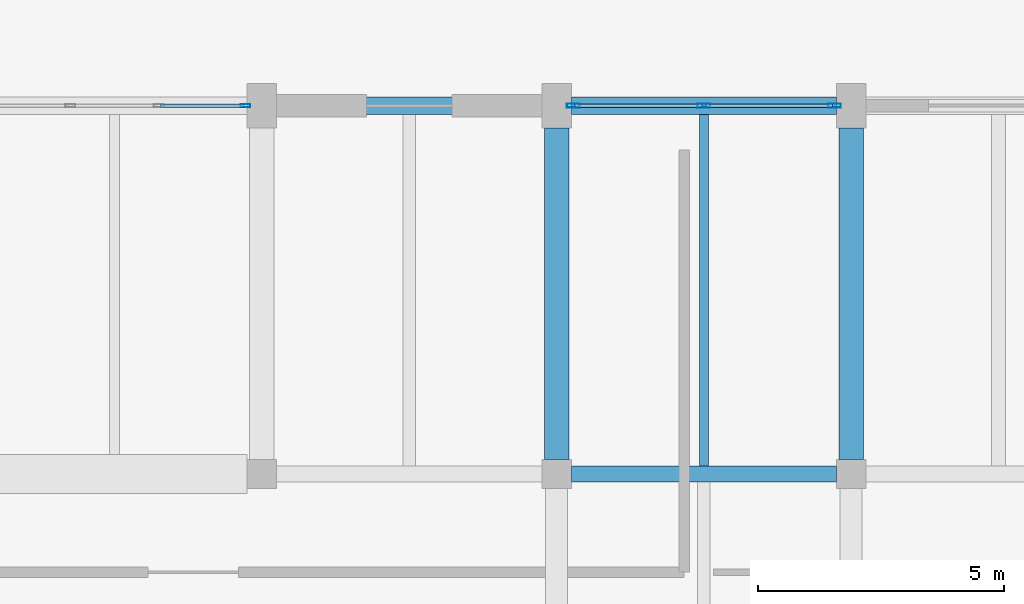
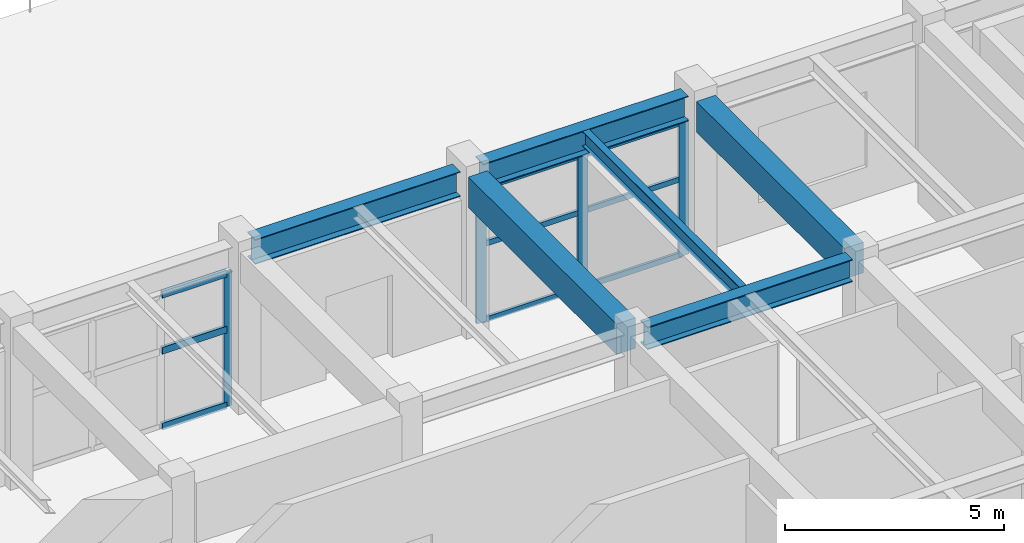
# One storey, part 37 of 80: 13 members, 6 beams, 2 elements without a shape of their own.
"""IFC4 building model written with IfcOpenShell, lengths in metres."""

from ifc_helpers import new_model, si_unit, direction, frame, origin, origin_2d, place, context, subcontext, project, spatial, rectangle, hollow_rectangle, i_section, extrude, material, layer, layer_set, material_profile, profile_set, type_object, element, aggregate, save


model = new_model("IFC4")

# Units and contexts
model_context = context("Model", 3, precision=1e-05, world=origin(), true_north=direction((0.0, 1.0)))
body_context = subcontext(model_context, "Body", "Model", "MODEL_VIEW")
ifc_project = project(units=[si_unit("LENGTHUNIT", "METRE"), si_unit("AREAUNIT", "SQUARE_METRE"), si_unit("VOLUMEUNIT", "CUBIC_METRE"), si_unit("PLANEANGLEUNIT", "RADIAN"), si_unit("MASSUNIT", "GRAM", prefix="KILO")], contexts=[model_context])

# Site, building, storey
site_placement = place(None, origin())
site = spatial("IfcSite", under=ifc_project, at=site_placement, CompositionType="ELEMENT")
building_placement = place(site_placement, origin())
building = spatial("IfcBuilding", under=site, at=building_placement, Name="Vaelkrest Opera House", CompositionType="ELEMENT")
storey_placement = place(building_placement, frame((0.0, 0.0, 15.0)))
storey = spatial("IfcBuildingStorey", under=building, at=storey_placement, Name="L03", CompositionType="ELEMENT", Elevation=15.0)

# Beams
ifc_material_1 = material(Name="Concrete C50/60", Category="concrete")
ifc_material_profile_1 = material_profile(ifc_material_1, rectangle(XDim=0.5, YDim=0.85009765625, at=origin_2d()), Name="RCB500X850")
ifc_profile_set_1 = profile_set([ifc_material_profile_1], Name="Concrete C50/60")
beam_type_1 = type_object("IfcBeamType", Name="B03", PredefinedType="BEAM", material=ifc_profile_set_1)
for number, where, z_axis, x_axis, name in (
    (1, (-51.60009765625, 10.5, 4.080078125), (0.0, 1.0, 0.0), (-1.0, 0.0, 0.0), "Beam BM-V3-L03-1776"),
    (2, (-45.60009765625, 10.5, 4.080078125), (0.0, 1.0, 0.0), (-1.0, 0.0, 0.0), "Beam BM-V3-L03-1780"),
):
    element("IfcBeam", number, at=place(storey_placement, frame(where, z_axis=z_axis, x_axis=x_axis)), inside=storey, type_object=beam_type_1, Name=name, PredefinedType="BEAM", context=body_context, shape_type="SweptSolid", body=[
        extrude(rectangle(XDim=0.5, YDim=0.85009765625, at=origin_2d()), origin(), (0.0, 0.0, 1.0), 6.75),
    ])
ifc_material_2 = material(Name="Steel A992 Gr50", Category="steel")
ifc_material_profile_2 = material_profile(ifc_material_2, i_section(OverallWidth=0.327880859375, OverallDepth=0.6279296875, WebThickness=0.0166015625, FlangeThickness=0.027587890625, at=origin_2d()), Name="W24X146")
ifc_profile_set_2 = profile_set([ifc_material_profile_2], Name="Steel A992 Gr50")
beam_type_2 = type_object("IfcBeamType", Name="B09", PredefinedType="BEAM", material=ifc_profile_set_2)
beam_1_placement = place(storey_placement, frame((-51.300048828125, 10.199951171875, 4.19091796875), z_axis=(1.0, 0.0, 0.0), x_axis=(0.0, 1.0, 0.0)))
element("IfcBeam", 3, at=beam_1_placement, inside=storey, type_object=beam_type_2, Name="Beam BM-V3-L03-1754", PredefinedType="BEAM", context=body_context, shape_type="SweptSolid", body=[
    extrude(i_section(OverallWidth=0.327880859375, OverallDepth=0.6279296875, WebThickness=0.0166015625, FlangeThickness=0.027587890625, at=origin_2d()), origin(), (0.0, 0.0, 1.0), 5.400146484375),
])

# Curtain wall, member
ifc_material_3 = material(Name="Dark bronze anodized aluminium", Category="aluminium")
ifc_layer_1 = layer(ifc_material_3, 0.22998046875)
ifc_layer_set_1 = layer_set([ifc_layer_1], Name="Dark bronze anodized aluminium")
curtain_wall_type_1 = type_object("IfcCurtainWallType", Name="CW06", PredefinedType="NOTDEFINED", material=ifc_layer_set_1)
curtain_wall_1_placement = place(storey_placement, origin())
curtain_wall_1 = element("IfcCurtainWall", 4, at=curtain_wall_1_placement, inside=storey, type_object=curtain_wall_type_1, Name="Curtain wall CW-L03-132", PredefinedType="NOTDEFINED")
ifc_material_profile_3 = material_profile(ifc_material_3, hollow_rectangle(XDim=0.070068359375, YDim=0.199951171875, WallThickness=0.004150390625, at=origin_2d()), Name="CWM70X200")
ifc_profile_set_3 = profile_set([ifc_material_profile_3], Name="Dark bronze anodized aluminium")
member_type_1 = type_object("IfcMemberType", Name="CWM02", PredefinedType="MULLION", material=ifc_profile_set_3)
member_1_placement = place(storey_placement, frame((-57.93310546875, 17.699951171875, 0.0), z_axis=(0.0, 0.0, 1.0), x_axis=(0.0, 1.0, 0.0)))
member_1 = element("IfcMember", 5, at=member_1_placement, type_object=member_type_1, Name="CW06 mullion 4", PredefinedType="MULLION", context=body_context, shape_type="SweptSolid", body=[
    extrude(hollow_rectangle(XDim=0.070068359375, YDim=0.199951171875, WallThickness=0.004150390625, at=origin_2d()), origin(), (0.0, 0.0, 1.0), 3.7451171875),
])

# Curtain wall, members
ifc_layer_2 = layer(ifc_material_3, 0.25)
ifc_layer_set_2 = layer_set([ifc_layer_2], Name="Dark bronze anodized aluminium")
curtain_wall_type_2 = type_object("IfcCurtainWallType", Name="CW08", PredefinedType="NOTDEFINED", material=ifc_layer_set_2)
curtain_wall_2_placement = place(storey_placement, origin())
curtain_wall_2 = element("IfcCurtainWall", 6, at=curtain_wall_2_placement, inside=storey, type_object=curtain_wall_type_2, Name="Curtain wall CW-L03-133", PredefinedType="NOTDEFINED")
ifc_material_profile_4 = material_profile(ifc_material_3, hollow_rectangle(XDim=0.080078125, YDim=0.260009765625, WallThickness=0.0048828125, at=origin_2d()), Name="CWM80X260")
ifc_profile_set_4 = profile_set([ifc_material_profile_4], Name="Dark bronze anodized aluminium")
member_type_2 = type_object("IfcMemberType", Name="CWM04", PredefinedType="MULLION", material=ifc_profile_set_4)
member_2_placement = place(storey_placement, frame((-51.261962890625, 17.699951171875, 0.0), z_axis=(0.0, 0.0, 1.0), x_axis=(0.0, 1.0, 0.0)))
member_2 = element("IfcMember", 7, at=member_2_placement, type_object=member_type_2, Name="CW08 mullion 1", PredefinedType="MULLION", context=body_context, shape_type="SweptSolid", body=[
    extrude(hollow_rectangle(XDim=0.080078125, YDim=0.260009765625, WallThickness=0.0048828125, at=origin_2d()), origin(), (0.0, 0.0, 1.0), 3.7451171875),
])
member_3_placement = place(storey_placement, frame((-48.60009765625, 17.699951171875, 0.0), z_axis=(0.0, 0.0, 1.0), x_axis=(0.0, 1.0, 0.0)))
member_3 = element("IfcMember", 8, at=member_3_placement, type_object=member_type_2, Name="CW08 mullion 2", PredefinedType="MULLION", context=body_context, shape_type="SweptSolid", body=[
    extrude(hollow_rectangle(XDim=0.080078125, YDim=0.260009765625, WallThickness=0.0048828125, at=origin_2d()), origin(), (0.0, 0.0, 1.0), 3.7451171875),
])
member_4_placement = place(storey_placement, frame((-45.93798828125, 17.699951171875, 0.0), z_axis=(0.0, 0.0, 1.0), x_axis=(0.0, 1.0, 0.0)))
member_4 = element("IfcMember", 9, at=member_4_placement, type_object=member_type_2, Name="CW08 mullion 3", PredefinedType="MULLION", context=body_context, shape_type="SweptSolid", body=[
    extrude(hollow_rectangle(XDim=0.080078125, YDim=0.260009765625, WallThickness=0.0048828125, at=origin_2d()), origin(), (0.0, 0.0, 1.0), 3.7451171875),
])
ifc_material_profile_5 = material_profile(ifc_material_3, hollow_rectangle(XDim=0.070068359375, YDim=0.14990234375, WallThickness=0.004150390625, at=origin_2d()), Name="CWT70X150")
ifc_profile_set_5 = profile_set([ifc_material_profile_5], Name="Dark bronze anodized aluminium")
member_type_3 = type_object("IfcMemberType", Name="CWT02", PredefinedType="USERDEFINED", material=ifc_profile_set_5)
member_5_placement = place(storey_placement, frame((-51.221923828125, 17.699951171875, 0.034912109375), z_axis=(1.0, 0.0, 0.0), x_axis=(0.0, 1.0, 0.0)))
member_5 = element("IfcMember", 10, at=member_5_placement, type_object=member_type_3, Name="CW08 transom 1.1", ObjectType="TRANSOM", PredefinedType="USERDEFINED", context=body_context, shape_type="SweptSolid", body=[
    extrude(hollow_rectangle(XDim=0.070068359375, YDim=0.14990234375, WallThickness=0.004150390625, at=origin_2d()), origin(), (0.0, 0.0, 1.0), 2.58203125),
])
member_6_placement = place(storey_placement, frame((-51.221923828125, 17.699951171875, 2.14990234375), z_axis=(1.0, 0.0, 0.0), x_axis=(0.0, 1.0, 0.0)))
member_6 = element("IfcMember", 11, at=member_6_placement, type_object=member_type_3, Name="CW08 transom 1.2", ObjectType="TRANSOM", PredefinedType="USERDEFINED", context=body_context, shape_type="SweptSolid", body=[
    extrude(hollow_rectangle(XDim=0.070068359375, YDim=0.14990234375, WallThickness=0.004150390625, at=origin_2d()), origin(), (0.0, 0.0, 1.0), 2.58203125),
])
member_7_placement = place(storey_placement, frame((-51.221923828125, 17.699951171875, 3.7099609375), z_axis=(1.0, 0.0, 0.0), x_axis=(0.0, 1.0, 0.0)))
member_7 = element("IfcMember", 12, at=member_7_placement, type_object=member_type_3, Name="CW08 transom 1.3", ObjectType="TRANSOM", PredefinedType="USERDEFINED", context=body_context, shape_type="SweptSolid", body=[
    extrude(hollow_rectangle(XDim=0.070068359375, YDim=0.14990234375, WallThickness=0.004150390625, at=origin_2d()), origin(), (0.0, 0.0, 1.0), 2.58203125),
])
member_8_placement = place(storey_placement, frame((-48.56005859375, 17.699951171875, 0.034912109375), z_axis=(1.0, 0.0, 0.0), x_axis=(0.0, 1.0, 0.0)))
member_8 = element("IfcMember", 13, at=member_8_placement, type_object=member_type_3, Name="CW08 transom 2.1", ObjectType="TRANSOM", PredefinedType="USERDEFINED", context=body_context, shape_type="SweptSolid", body=[
    extrude(hollow_rectangle(XDim=0.070068359375, YDim=0.14990234375, WallThickness=0.004150390625, at=origin_2d()), origin(), (0.0, 0.0, 1.0), 2.58203125),
])
member_9_placement = place(storey_placement, frame((-48.56005859375, 17.699951171875, 2.14990234375), z_axis=(1.0, 0.0, 0.0), x_axis=(0.0, 1.0, 0.0)))
member_9 = element("IfcMember", 14, at=member_9_placement, type_object=member_type_3, Name="CW08 transom 2.2", ObjectType="TRANSOM", PredefinedType="USERDEFINED", context=body_context, shape_type="SweptSolid", body=[
    extrude(hollow_rectangle(XDim=0.070068359375, YDim=0.14990234375, WallThickness=0.004150390625, at=origin_2d()), origin(), (0.0, 0.0, 1.0), 2.58203125),
])
member_10_placement = place(storey_placement, frame((-48.56005859375, 17.699951171875, 3.7099609375), z_axis=(1.0, 0.0, 0.0), x_axis=(0.0, 1.0, 0.0)))
member_10 = element("IfcMember", 15, at=member_10_placement, type_object=member_type_3, Name="CW08 transom 2.3", ObjectType="TRANSOM", PredefinedType="USERDEFINED", context=body_context, shape_type="SweptSolid", body=[
    extrude(hollow_rectangle(XDim=0.070068359375, YDim=0.14990234375, WallThickness=0.004150390625, at=origin_2d()), origin(), (0.0, 0.0, 1.0), 2.58203125),
])
aggregate(curtain_wall_2, [member_2, member_3, member_4, member_5, member_6, member_7, member_8, member_9, member_10])

# Member
ifc_material_profile_6 = material_profile(ifc_material_3, hollow_rectangle(XDim=0.080078125, YDim=0.18994140625, WallThickness=0.0048828125, at=origin_2d()), Name="CWT80X190")
ifc_profile_set_6 = profile_set([ifc_material_profile_6], Name="Dark bronze anodized aluminium")
member_type_4 = type_object("IfcMemberType", Name="CWT04", PredefinedType="USERDEFINED", material=ifc_profile_set_6)
member_11_placement = place(storey_placement, frame((-59.664306640625, 17.699951171875, 0.0400390625), z_axis=(1.0, 0.0, 0.0), x_axis=(0.0, 1.0, 0.0)))
member_11 = element("IfcMember", 16, at=member_11_placement, type_object=member_type_4, Name="CW06 transom 3.1", ObjectType="TRANSOM", PredefinedType="USERDEFINED", context=body_context, shape_type="SweptSolid", body=[
    extrude(hollow_rectangle(XDim=0.080078125, YDim=0.18994140625, WallThickness=0.0048828125, at=origin_2d()), origin(), (0.0, 0.0, 1.0), 1.6962890625),
])

member_12_placement = place(storey_placement, frame((-59.664306640625, 17.699951171875, 2.14990234375), z_axis=(1.0, 0.0, 0.0), x_axis=(0.0, 1.0, 0.0)))
member_12 = element("IfcMember", 17, at=member_12_placement, type_object=member_type_4, Name="CW06 transom 3.2", ObjectType="TRANSOM", PredefinedType="USERDEFINED", context=body_context, shape_type="SweptSolid", body=[
    extrude(hollow_rectangle(XDim=0.080078125, YDim=0.18994140625, WallThickness=0.0048828125, at=origin_2d()), origin(), (0.0, 0.0, 1.0), 1.6962890625),
])

member_13_placement = place(storey_placement, frame((-59.664306640625, 17.699951171875, 3.705078125), z_axis=(1.0, 0.0, 0.0), x_axis=(0.0, 1.0, 0.0)))
member_13 = element("IfcMember", 18, at=member_13_placement, type_object=member_type_4, Name="CW06 transom 3.3", ObjectType="TRANSOM", PredefinedType="USERDEFINED", context=body_context, shape_type="SweptSolid", body=[
    extrude(hollow_rectangle(XDim=0.080078125, YDim=0.18994140625, WallThickness=0.0048828125, at=origin_2d()), origin(), (0.0, 0.0, 1.0), 1.6962890625),
])

aggregate(curtain_wall_1, [member_1, member_11, member_12, member_13])

# Beams
ifc_material_profile_7 = material_profile(ifc_material_2, i_section(OverallWidth=0.180908203125, OverallDepth=0.4169921875, WebThickness=0.010986328125, FlangeThickness=0.018310546875, at=origin_2d()), Name="W16X57")
ifc_profile_set_7 = profile_set([ifc_material_profile_7], Name="Steel A992 Gr50")
beam_type_3 = type_object("IfcBeamType", Name="J07", PredefinedType="JOIST", material=ifc_profile_set_7)
beam_2_placement = place(storey_placement, frame((-48.60009765625, 10.364013671875, 4.29638671875), z_axis=(0.0, 1.0, 0.0), x_axis=(-1.0, 0.0, 0.0)))
element("IfcBeam", 19, at=beam_2_placement, inside=storey, type_object=beam_type_3, Name="Floor joist JST-V3-L03-1797", PredefinedType="JOIST", context=body_context, shape_type="SweptSolid", body=[
    extrude(i_section(OverallWidth=0.180908203125, OverallDepth=0.4169921875, WebThickness=0.010986328125, FlangeThickness=0.018310546875, at=origin_2d()), origin(), (0.0, 0.0, 1.0), 7.158447265625),
])
ifc_material_profile_8 = material_profile(ifc_material_2, i_section(OverallWidth=0.35498046875, OverallDepth=0.695068359375, WebThickness=0.015380859375, FlangeThickness=0.02490234375, at=origin_2d()), Name="W27X146")
ifc_profile_set_8 = profile_set([ifc_material_profile_8], Name="Steel A992 Gr50")
beam_type_4 = type_object("IfcBeamType", Name="SP02", PredefinedType="SPANDREL", material=ifc_profile_set_8)
for number, where, z_axis, x_axis, name in (
    (20, (-57.300048828125, 17.699951171875, 4.157470703125), (1.0, 0.0, 0.0), (0.0, 1.0, 0.0), "Beam BM-V3-L03-1759"),
    (21, (-51.300048828125, 17.699951171875, 4.157470703125), (1.0, 0.0, 0.0), (0.0, 1.0, 0.0), "Beam BM-V3-L03-1760"),
):
    element("IfcBeam", number, at=place(storey_placement, frame(where, z_axis=z_axis, x_axis=x_axis)), inside=storey, type_object=beam_type_4, Name=name, PredefinedType="SPANDREL", context=body_context, shape_type="SweptSolid", body=[
        extrude(i_section(OverallWidth=0.35498046875, OverallDepth=0.695068359375, WebThickness=0.015380859375, FlangeThickness=0.02490234375, at=origin_2d()), origin(), (0.0, 0.0, 1.0), 5.400146484375),
    ])

save(model, "model.ifc")
